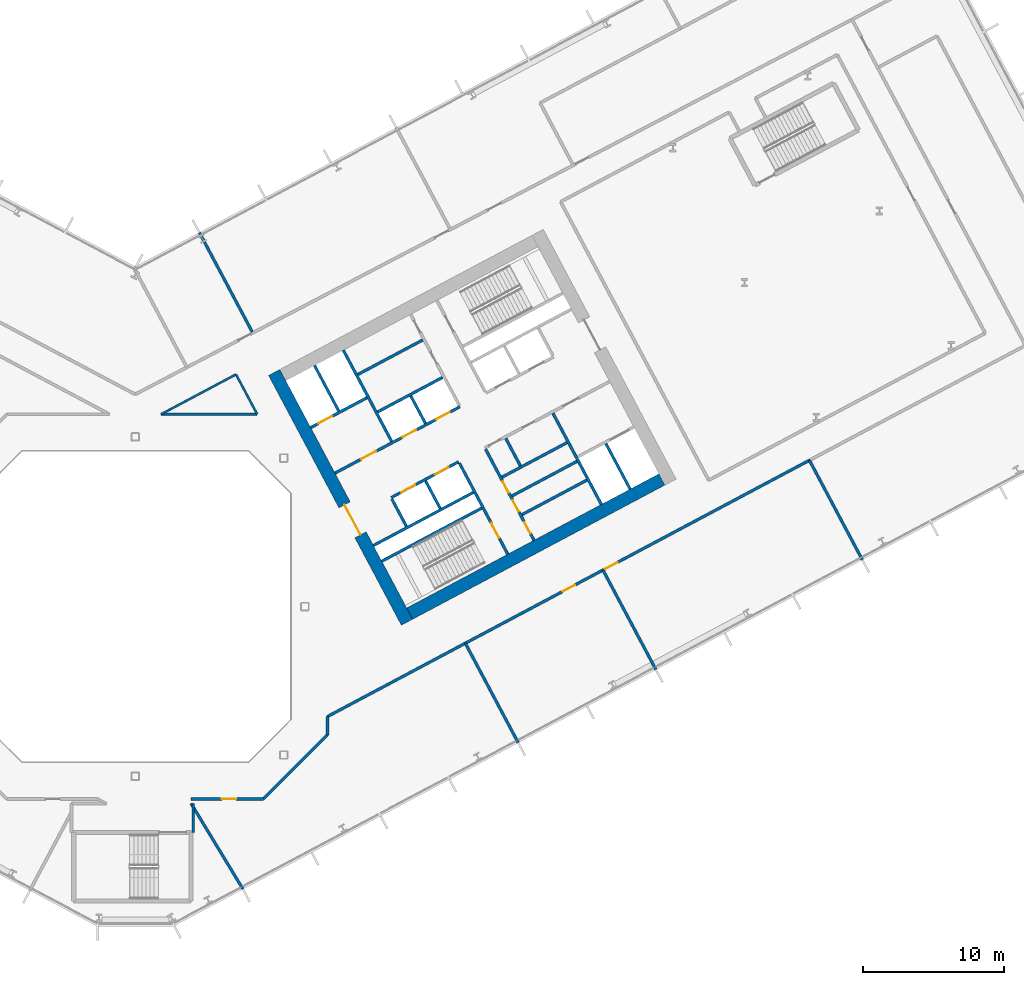
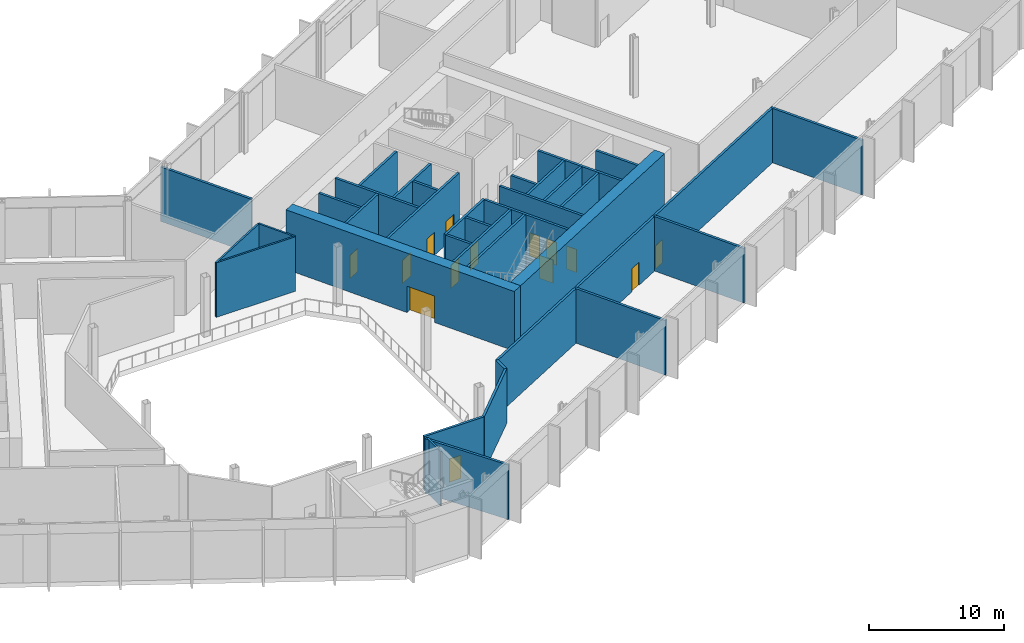
# One storey, part 15 of 31: 35 walls, 14 doors, 14 openings.
"""IFC4 building model written with IfcOpenShell, lengths in metres."""

from ifc_helpers import new_model, si_unit, direction, frame, frame_2d, origin, place, context, subcontext, project, spatial, rectangle, extrude, material, layer, layer_set, type_object, element, fill, save


model = new_model("IFC4")

# Units and contexts
model_context = context("Model", 3, precision=1e-05, world=origin(), true_north=direction((0.0, 1.0)))
body_context = subcontext(model_context, "Body", "Model", "MODEL_VIEW")
ifc_project = project(units=[si_unit("LENGTHUNIT", "METRE"), si_unit("AREAUNIT", "SQUARE_METRE"), si_unit("VOLUMEUNIT", "CUBIC_METRE"), si_unit("PLANEANGLEUNIT", "RADIAN"), si_unit("MASSUNIT", "GRAM", prefix="KILO")], contexts=[model_context])

# Site, building, storey
site_placement = place(None, origin())
site = spatial("IfcSite", under=ifc_project, at=site_placement, CompositionType="ELEMENT")
building_placement = place(site_placement, origin())
building = spatial("IfcBuilding", under=site, at=building_placement, Name="Cormorant Relay Tower", CompositionType="ELEMENT")
storey_placement = place(building_placement, frame((0.0, 0.0, 12.199951171875)))
storey = spatial("IfcBuildingStorey", under=building, at=storey_placement, Name="L02", CompositionType="ELEMENT", Elevation=12.199951171875)

# Walls
ifc_material_1 = material(Name="Concrete 40 MPa", Category="concrete")
ifc_layer_1 = layer(ifc_material_1, 0.199951171875)
ifc_layer_set_1 = layer_set([ifc_layer_1], Name="Core internal wall 200")
wall_type_1 = type_object("IfcWallType", Name="Core internal wall 200", PredefinedType="SOLIDWALL", material=ifc_layer_set_1)
for number, where, z_axis, x_axis, name in (
    (1, (21.567626953125, 6.9375, 0.0), (0.0, 0.0, 1.0), (-0.469533832133, 0.882914480843, 0.0), "L02 core B shaft and room wall"),
    (2, (20.522216796875, 12.950439453125, 0.0), (0.0, 0.0, 1.0), (-0.469401318492, 0.882984938828, 0.0), "L02 core B shaft and room wall"),
    (3, (27.236083984375, 9.951416015625, 0.0), (0.0, 0.0, 1.0), (-0.4694473164, 0.882960484464, 0.0), "L02 core B shaft and room wall"),
):
    element("IfcWall", number, at=place(storey_placement, frame(where, z_axis=z_axis, x_axis=x_axis)), inside=storey, type_object=wall_type_1, Name=name, PredefinedType="SOLIDWALL", context=body_context, shape_type="SweptSolid", body=[
        extrude(rectangle(XDim=2.199951171875, YDim=0.199951171875, at=frame_2d((1.10009765625, 0.0))), origin(), (0.0, 0.0, 1.0), 5.400146484375),
    ])
for number, where, z_axis, x_axis, name in (
    (4, (27.349365234375, 6.500732421875, 0.0), (0.0, 0.0, 1.0), (0.882953967957, 0.469459572775, 0.0), "L02 core B shaft and room wall"),
    (5, (26.645263671875, 7.8251953125, 0.0), (0.0, 0.0, 1.0), (0.882953967957, 0.469459572775, 0.0), "L02 core B shaft and room wall"),
    (6, (15.738525390625, 16.409423828125, 0.0), (0.0, 0.0, 1.0), (0.882934506056, 0.469496174655, 0.0), "L02 core B shaft and room wall"),
):
    element("IfcWall", number, at=place(storey_placement, frame(where, z_axis=z_axis, x_axis=x_axis)), inside=storey, type_object=wall_type_1, Name=name, PredefinedType="SOLIDWALL", context=body_context, shape_type="SweptSolid", body=[
        extrude(rectangle(XDim=5.199951171875, YDim=0.199951171875, at=frame_2d((2.60009765625, 0.0))), origin(), (0.0, 0.0, 1.0), 5.400146484375),
    ])
ifc_material_2 = material(Name="Concrete 50 MPa", Category="concrete")
ifc_layer_2 = layer(ifc_material_2, 0.199951171875)
ifc_layer_set_2 = layer_set([ifc_layer_2], Name="Core shaft wall 200")
wall_type_2 = type_object("IfcWallType", Name="Core shaft wall 200", PredefinedType="SHEAR", material=ifc_layer_set_2)
wall_1_placement = place(storey_placement, frame((14.39404296875, 13.825927734375, 0.0), z_axis=(0.0, 0.0, 1.0), x_axis=(-0.469494272526, 0.882935517501, 0.0)))
element("IfcWall", 7, at=wall_1_placement, inside=storey, type_object=wall_type_2, Name="L02 core B shaft wall", PredefinedType="SHEAR", context=body_context, shape_type="SweptSolid", body=[
    extrude(rectangle(XDim=3.64990234375, YDim=0.199951171875, at=frame_2d((1.824951171875, 0.0))), origin(), (0.0, 0.0, 1.0), 5.400146484375),
])
wall_2_placement = place(storey_placement, frame((19.18359375, 5.669921875, 0.0), z_axis=(0.0, 0.0, 1.0), x_axis=(-0.4694473164, 0.882960484464, 0.0)))
element("IfcWall", 8, at=wall_2_placement, inside=storey, type_object=wall_type_2, Name="L02 core B shaft wall", PredefinedType="SHEAR", context=body_context, shape_type="SweptSolid", body=[
    extrude(rectangle(XDim=2.199951171875, YDim=0.199951171875, at=frame_2d((1.10009765625, 0.0))), origin(), (0.0, 0.0, 1.0), 5.400146484375),
])
wall_3_placement = place(storey_placement, frame((18.138427734375, 11.682861328125, 0.0), z_axis=(0.0, 0.0, 1.0), x_axis=(-0.469480409012, 0.88294288918, 0.0)))
element("IfcWall", 9, at=wall_3_placement, inside=storey, type_object=wall_type_2, Name="L02 core B shaft wall", PredefinedType="SHEAR", context=body_context, shape_type="SweptSolid", body=[
    extrude(rectangle(XDim=7.300048828125, YDim=0.199951171875, at=frame_2d((3.64990234375, 0.0))), origin(), (0.0, 0.0, 1.0), 5.400146484375),
])

# Wall, opening, door
wall_4_placement = place(storey_placement, frame((26.345947265625, 3.701904296875, 0.0), z_axis=(0.0, 0.0, 1.0), x_axis=(-0.469480409012, 0.88294288918, 0.0)))
wall_4 = element("IfcWall", 10, at=wall_4_placement, inside=storey, type_object=wall_type_2, Name="L02 core B shaft wall", PredefinedType="SHEAR", context=body_context, shape_type="SweptSolid", body=[
    extrude(rectangle(XDim=7.300048828125, YDim=0.199951171875, at=frame_2d((3.64990234375, 0.0))), origin(), (0.0, 0.0, 1.0), 5.400146484375),
])
opening_1_placement = place(wall_4_placement, frame((1.300048828125, 0.0, 0.0)))
opening_1 = element("IfcOpeningElement", 11, at=opening_1_placement, cuts=wall_4, Name="Opening CDB-021", PredefinedType="OPENING", context=body_context, shape_type="SweptSolid", body=[
    extrude(rectangle(XDim=1.199951171875, YDim=2.10009765625, at=frame_2d((0.60009765625, 1.050048828125))), frame((0.0, 0.10986328125, 0.0), z_axis=(0.0, -1.0, 0.0), x_axis=(1.0, 0.0, 0.0)), (0.0, 0.0, 1.0), 0.219970703125),
])
ifc_material_3 = material(Name="Steel fire door", Category="steel")
door_type_1 = type_object("IfcDoorType", Name="Core stair door 1200x2100", OperationType="SINGLE_SWING_LEFT", PredefinedType="DOOR", material=ifc_material_3)
door_1_placement = place(opening_1_placement, origin())
door_1 = element("IfcDoor", 12, at=door_1_placement, inside=storey, type_object=door_type_1, Name="Core stair door 1200x2100", OperationType="SINGLE_SWING_RIGHT", OverallHeight=2.10009765625, OverallWidth=1.199951171875, PredefinedType="DOOR", context=body_context, shape_type="SweptSolid", body=[
    extrude(rectangle(XDim=1.199951171875, YDim=2.10009765625, at=frame_2d((0.60009765625, 1.050048828125))), frame((0.0, 0.02490234375, 0.0), z_axis=(0.0, -1.0, 0.0), x_axis=(1.0, 0.0, 0.0)), (0.0, 0.0, 1.0), 0.050048828125),
])
fill(opening_1, door_1)

# Wall, openings, doors
wall_5_placement = place(storey_placement, frame((28.199951171875, 4.687744140625, 0.0), z_axis=(0.0, 0.0, 1.0), x_axis=(-0.469454336211, 0.882956752176, 0.0)))
wall_5 = element("IfcWall", 13, at=wall_5_placement, inside=storey, type_object=wall_type_2, Name="L02 core B shaft wall", PredefinedType="SHEAR", context=body_context, shape_type="SweptSolid", body=[
    extrude(rectangle(XDim=7.300048828125, YDim=0.199951171875, at=frame_2d((3.64990234375, 0.0))), origin(), (0.0, 0.0, 1.0), 5.400146484375),
])
opening_2_placement = place(wall_5_placement, frame((0.550048828125, 0.0, 0.0)))
opening_2 = element("IfcOpeningElement", 14, at=opening_2_placement, cuts=wall_5, Name="Opening CDD-078", PredefinedType="OPENING", context=body_context, shape_type="SweptSolid", body=[
    extrude(rectangle(XDim=0.89990234375, YDim=2.10009765625, at=frame_2d((0.449951171875, 1.050048828125))), frame((0.0, 0.10986328125, 0.0), z_axis=(0.0, -1.0, 0.0), x_axis=(1.0, 0.0, 0.0)), (0.0, 0.0, 1.0), 0.219970703125),
])
opening_3_placement = place(wall_5_placement, frame((2.300048828125, 0.0, 0.0)))
opening_3 = element("IfcOpeningElement", 15, at=opening_3_placement, cuts=wall_5, Name="Opening CDD-079", PredefinedType="OPENING", context=body_context, shape_type="SweptSolid", body=[
    extrude(rectangle(XDim=0.89990234375, YDim=2.10009765625, at=frame_2d((0.449951171875, 1.050048828125))), frame((0.0, 0.10986328125, 0.0), z_axis=(0.0, -1.0, 0.0), x_axis=(1.0, 0.0, 0.0)), (0.0, 0.0, 1.0), 0.219970703125),
])
opening_4_placement = place(wall_5_placement, frame((3.800048828125, 0.0, 0.0)))
opening_4 = element("IfcOpeningElement", 16, at=opening_4_placement, cuts=wall_5, Name="Opening CDD-080", PredefinedType="OPENING", context=body_context, shape_type="SweptSolid", body=[
    extrude(rectangle(XDim=0.89990234375, YDim=2.10009765625, at=frame_2d((0.449951171875, 1.050048828125))), frame((0.0, 0.10986328125, 0.0), z_axis=(0.0, -1.0, 0.0), x_axis=(1.0, 0.0, 0.0)), (0.0, 0.0, 1.0), 0.219970703125),
])
ifc_material_4 = material(Name="Steel fire door", Category="steel")
door_type_2 = type_object("IfcDoorType", Name="Core room door 900x2100", OperationType="SINGLE_SWING_LEFT", PredefinedType="DOOR", material=ifc_material_4)
door_2_placement = place(opening_2_placement, frame((0.89990234375, 0.0, 0.0), z_axis=(0.0, 0.0, 1.0), x_axis=(-1.0, 0.0, 0.0)))
door_2 = element("IfcDoor", 17, at=door_2_placement, inside=storey, type_object=door_type_2, Name="Core room door 900x2100", OperationType="SINGLE_SWING_LEFT", OverallHeight=2.10009765625, OverallWidth=0.89990234375, PredefinedType="DOOR", context=body_context, shape_type="SweptSolid", body=[
    extrude(rectangle(XDim=0.89990234375, YDim=2.10009765625, at=frame_2d((0.449951171875, 1.050048828125))), frame((0.0, 0.02490234375, 0.0), z_axis=(0.0, -1.0, 0.0), x_axis=(1.0, 0.0, 0.0)), (0.0, 0.0, 1.0), 0.050048828125),
])
fill(opening_2, door_2)
door_3_placement = place(opening_3_placement, frame((0.89990234375, 0.0, 0.0), z_axis=(0.0, 0.0, 1.0), x_axis=(-1.0, 0.0, 0.0)))
door_3 = element("IfcDoor", 18, at=door_3_placement, inside=storey, type_object=door_type_2, Name="Core room door 900x2100", OperationType="SINGLE_SWING_LEFT", OverallHeight=2.10009765625, OverallWidth=0.89990234375, PredefinedType="DOOR", context=body_context, shape_type="SweptSolid", body=[
    extrude(rectangle(XDim=0.89990234375, YDim=2.10009765625, at=frame_2d((0.449951171875, 1.050048828125))), frame((0.0, 0.02490234375, 0.0), z_axis=(0.0, -1.0, 0.0), x_axis=(1.0, 0.0, 0.0)), (0.0, 0.0, 1.0), 0.050048828125),
])
fill(opening_3, door_3)
door_4_placement = place(opening_4_placement, frame((0.89990234375, 0.0, 0.0), z_axis=(0.0, 0.0, 1.0), x_axis=(-1.0, 0.0, 0.0)))
door_4 = element("IfcDoor", 19, at=door_4_placement, inside=storey, type_object=door_type_2, Name="Core room door 900x2100", OperationType="SINGLE_SWING_LEFT", OverallHeight=2.10009765625, OverallWidth=0.89990234375, PredefinedType="DOOR", context=body_context, shape_type="SweptSolid", body=[
    extrude(rectangle(XDim=0.89990234375, YDim=2.10009765625, at=frame_2d((0.449951171875, 1.050048828125))), frame((0.0, 0.02490234375, 0.0), z_axis=(0.0, -1.0, 0.0), x_axis=(1.0, 0.0, 0.0)), (0.0, 0.0, 1.0), 0.050048828125),
])
fill(opening_4, door_4)

# Walls
wall_6_placement = place(storey_placement, frame((32.968017578125, 7.222900390625, 0.0), z_axis=(0.0, 0.0, 1.0), x_axis=(-0.469480409012, 0.88294288918, 0.0)))
element("IfcWall", 20, at=wall_6_placement, inside=storey, type_object=wall_type_2, Name="L02 core B shaft wall", PredefinedType="SHEAR", context=body_context, shape_type="SweptSolid", body=[
    extrude(rectangle(XDim=7.300048828125, YDim=0.199951171875, at=frame_2d((3.64990234375, 0.0))), origin(), (0.0, 0.0, 1.0), 5.400146484375),
])
wall_7_placement = place(storey_placement, frame((34.998779296875, 8.302734375, 0.0), z_axis=(0.0, 0.0, 1.0), x_axis=(-0.4694665462, 0.882950260207, 0.0)))
element("IfcWall", 21, at=wall_7_placement, inside=storey, type_object=wall_type_2, Name="L02 core B shaft wall", PredefinedType="SHEAR", context=body_context, shape_type="SweptSolid", body=[
    extrude(rectangle(XDim=3.650146484375, YDim=0.199951171875, at=frame_2d((1.8251953125, 0.0))), origin(), (0.0, 0.0, 1.0), 5.400146484375),
])
for number, where, z_axis, x_axis, name in (
    (22, (17.43359375, 3.210205078125, 0.0), (0.0, 0.0, 1.0), (0.882940221191, 0.469485426614, 0.0), "L02 core B shaft wall"),
    (23, (16.8466796875, 4.31396484375, 0.0), (0.0, 0.0, 1.0), (0.882940221191, 0.469485426614, 0.0), "L02 core B shaft wall"),
):
    element("IfcWall", number, at=place(storey_placement, frame(where, z_axis=z_axis, x_axis=x_axis)), inside=storey, type_object=wall_type_2, Name=name, PredefinedType="SHEAR", context=body_context, shape_type="SweptSolid", body=[
        extrude(rectangle(XDim=8.0, YDim=0.199951171875, at=frame_2d((4.0, 0.0))), origin(), (0.0, 0.0, 1.0), 5.400146484375),
    ])
wall_8_placement = place(storey_placement, frame((25.94091796875, 9.149658203125, 0.0), z_axis=(0.0, 0.0, 1.0), x_axis=(0.882953967957, 0.469459572775, 0.0)))
element("IfcWall", 24, at=wall_8_placement, inside=storey, type_object=wall_type_2, Name="L02 core B shaft wall", PredefinedType="SHEAR", context=body_context, shape_type="SweptSolid", body=[
    extrude(rectangle(XDim=5.199951171875, YDim=0.199951171875, at=frame_2d((2.60009765625, 0.0))), origin(), (0.0, 0.0, 1.0), 5.400146484375),
])

# Wall, openings, doors
wall_9_placement = place(storey_placement, frame((18.103759765625, 7.70068359375, 0.0), z_axis=(0.0, 0.0, 1.0), x_axis=(0.882952937579, 0.469461510692, 0.0)))
wall_9 = element("IfcWall", 25, at=wall_9_placement, inside=storey, type_object=wall_type_2, Name="L02 core B shaft wall", PredefinedType="SHEAR", context=body_context, shape_type="SweptSolid", body=[
    extrude(rectangle(XDim=5.400146484375, YDim=0.199951171875, at=frame_2d((2.7001953125, 0.0))), origin(), (0.0, 0.0, 1.0), 5.400146484375),
])
opening_5_placement = place(wall_9_placement, frame((0.800048828125, 0.0, 0.0)))
opening_5 = element("IfcOpeningElement", 26, at=opening_5_placement, cuts=wall_9, Name="Opening LD1-024", PredefinedType="OPENING", context=body_context, shape_type="SweptSolid", body=[
    extrude(rectangle(XDim=1.10009765625, YDim=2.10009765625, at=frame_2d((0.550048828125, 1.050048828125))), frame((0.0, 0.10986328125, 0.0), z_axis=(0.0, -1.0, 0.0), x_axis=(1.0, 0.0, 0.0)), (0.0, 0.0, 1.0), 0.219970703125),
])
opening_6_placement = place(wall_9_placement, frame((3.5, 0.0, 0.0)))
opening_6 = element("IfcOpeningElement", 27, at=opening_6_placement, cuts=wall_9, Name="Opening LD1-025", PredefinedType="OPENING", context=body_context, shape_type="SweptSolid", body=[
    extrude(rectangle(XDim=1.10009765625, YDim=2.10009765625, at=frame_2d((0.550048828125, 1.050048828125))), frame((0.0, 0.10986328125, 0.0), z_axis=(0.0, -1.0, 0.0), x_axis=(1.0, 0.0, 0.0)), (0.0, 0.0, 1.0), 0.219970703125),
])
ifc_material_5 = material(Name="Stainless steel 316", Category="steel")
door_type_3 = type_object("IfcDoorType", Name="Lift landing door 1100x2100", OperationType="DOUBLE_DOOR_SLIDING", PredefinedType="DOOR", material=ifc_material_5)
door_5_placement = place(opening_5_placement, origin())
door_5 = element("IfcDoor", 28, at=door_5_placement, inside=storey, type_object=door_type_3, Name="LR5 landing door", OperationType="DOUBLE_DOOR_SLIDING", OverallHeight=2.10009765625, OverallWidth=1.10009765625, PredefinedType="DOOR", context=body_context, shape_type="SweptSolid", body=[
    extrude(rectangle(XDim=1.10009765625, YDim=2.10009765625, at=frame_2d((0.550048828125, 1.050048828125))), frame((0.0, 0.02490234375, 0.0), z_axis=(0.0, -1.0, 0.0), x_axis=(1.0, 0.0, 0.0)), (0.0, 0.0, 1.0), 0.050048828125),
])
fill(opening_5, door_5)
door_6_placement = place(opening_6_placement, origin())
door_6 = element("IfcDoor", 29, at=door_6_placement, inside=storey, type_object=door_type_3, Name="LR6 landing door", OperationType="DOUBLE_DOOR_SLIDING", OverallHeight=2.10009765625, OverallWidth=1.10009765625, PredefinedType="DOOR", context=body_context, shape_type="SweptSolid", body=[
    extrude(rectangle(XDim=1.10009765625, YDim=2.10009765625, at=frame_2d((0.550048828125, 1.050048828125))), frame((0.0, 0.02490234375, 0.0), z_axis=(0.0, -1.0, 0.0), x_axis=(1.0, 0.0, 0.0)), (0.0, 0.0, 1.0), 0.050048828125),
])
fill(opening_6, door_6)

wall_10_placement = place(storey_placement, frame((14.123779296875, 9.43505859375, 0.0), z_axis=(0.0, 0.0, 1.0), x_axis=(0.882940221191, 0.469485426614, 0.0)))
wall_10 = element("IfcWall", 30, at=wall_10_placement, inside=storey, type_object=wall_type_2, Name="L02 core B shaft wall", PredefinedType="SHEAR", context=body_context, shape_type="SweptSolid", body=[
    extrude(rectangle(XDim=10.0, YDim=0.199951171875, at=frame_2d((5.0, 0.0))), origin(), (0.0, 0.0, 1.0), 5.400146484375),
])
opening_7_placement = place(wall_10_placement, frame((2.10009765625, 0.0, 0.0)))
opening_7 = element("IfcOpeningElement", 31, at=opening_7_placement, cuts=wall_10, Name="Opening CDC-015", PredefinedType="OPENING", context=body_context, shape_type="SweptSolid", body=[
    extrude(rectangle(XDim=1.199951171875, YDim=2.10009765625, at=frame_2d((0.60009765625, 1.050048828125))), frame((0.0, 0.10986328125, 0.0), z_axis=(0.0, -1.0, 0.0), x_axis=(1.0, 0.0, 0.0)), (0.0, 0.0, 1.0), 0.219970703125),
])
opening_8_placement = place(wall_10_placement, frame((5.39990234375, 0.0, 0.0)))
opening_8 = element("IfcOpeningElement", 32, at=opening_8_placement, cuts=wall_10, Name="Opening LD1-020", PredefinedType="OPENING", context=body_context, shape_type="SweptSolid", body=[
    extrude(rectangle(XDim=1.10009765625, YDim=2.10009765625, at=frame_2d((0.550048828125, 1.050048828125))), frame((0.0, 0.10986328125, 0.0), z_axis=(0.0, -1.0, 0.0), x_axis=(1.0, 0.0, 0.0)), (0.0, 0.0, 1.0), 0.219970703125),
])
opening_9_placement = place(wall_10_placement, frame((8.10009765625, 0.0, 0.0)))
opening_9 = element("IfcOpeningElement", 33, at=opening_9_placement, cuts=wall_10, Name="Opening LD1-021", PredefinedType="OPENING", context=body_context, shape_type="SweptSolid", body=[
    extrude(rectangle(XDim=1.10009765625, YDim=2.10009765625, at=frame_2d((0.550048828125, 1.050048828125))), frame((0.0, 0.10986328125, 0.0), z_axis=(0.0, -1.0, 0.0), x_axis=(1.0, 0.0, 0.0)), (0.0, 0.0, 1.0), 0.219970703125),
])
ifc_material_6 = material(Name="Steel fire door", Category="steel")
door_type_4 = type_object("IfcDoorType", Name="Core lobby door 1200x2100", OperationType="SINGLE_SWING_LEFT", PredefinedType="DOOR", material=ifc_material_6)
door_7_placement = place(opening_7_placement, origin())
door_7 = element("IfcDoor", 34, at=door_7_placement, inside=storey, type_object=door_type_4, Name="Core lobby door 1200x2100", OperationType="SINGLE_SWING_RIGHT", OverallHeight=2.10009765625, OverallWidth=1.199951171875, PredefinedType="DOOR", context=body_context, shape_type="SweptSolid", body=[
    extrude(rectangle(XDim=1.199951171875, YDim=2.10009765625, at=frame_2d((0.60009765625, 1.050048828125))), frame((0.0, 0.02490234375, 0.0), z_axis=(0.0, -1.0, 0.0), x_axis=(1.0, 0.0, 0.0)), (0.0, 0.0, 1.0), 0.050048828125),
])
fill(opening_7, door_7)
door_8_placement = place(opening_8_placement, origin())
door_8 = element("IfcDoor", 35, at=door_8_placement, inside=storey, type_object=door_type_3, Name="LR1 landing door", OperationType="DOUBLE_DOOR_SLIDING", OverallHeight=2.10009765625, OverallWidth=1.10009765625, PredefinedType="DOOR", context=body_context, shape_type="SweptSolid", body=[
    extrude(rectangle(XDim=1.10009765625, YDim=2.10009765625, at=frame_2d((0.550048828125, 1.050048828125))), frame((0.0, 0.02490234375, 0.0), z_axis=(0.0, -1.0, 0.0), x_axis=(1.0, 0.0, 0.0)), (0.0, 0.0, 1.0), 0.050048828125),
])
fill(opening_8, door_8)
door_9_placement = place(opening_9_placement, origin())
door_9 = element("IfcDoor", 36, at=door_9_placement, inside=storey, type_object=door_type_3, Name="LR2 landing door", OperationType="DOUBLE_DOOR_SLIDING", OverallHeight=2.10009765625, OverallWidth=1.10009765625, PredefinedType="DOOR", context=body_context, shape_type="SweptSolid", body=[
    extrude(rectangle(XDim=1.10009765625, YDim=2.10009765625, at=frame_2d((0.550048828125, 1.050048828125))), frame((0.0, 0.02490234375, 0.0), z_axis=(0.0, -1.0, 0.0), x_axis=(1.0, 0.0, 0.0)), (0.0, 0.0, 1.0), 0.050048828125),
])
fill(opening_9, door_9)

# Wall
wall_11_placement = place(storey_placement, frame((17.146728515625, 13.7607421875, 0.0), z_axis=(0.0, 0.0, 1.0), x_axis=(0.882964314875, 0.469440111896, 0.0)))
element("IfcWall", 37, at=wall_11_placement, inside=storey, type_object=wall_type_2, Name="L02 core B shaft wall", PredefinedType="SHEAR", context=body_context, shape_type="SweptSolid", body=[
    extrude(rectangle(XDim=5.2001953125, YDim=0.199951171875, at=frame_2d((2.60009765625, 0.0))), origin(), (0.0, 0.0, 1.0), 5.400146484375),
])

# Wall, opening, door
wall_12_placement = place(storey_placement, frame((12.41015625, 12.657958984375, 0.0), z_axis=(0.0, 0.0, 1.0), x_axis=(0.8829484765, 0.469469900894, 0.0)))
wall_12 = element("IfcWall", 38, at=wall_12_placement, inside=storey, type_object=wall_type_2, Name="L02 core B shaft wall", PredefinedType="SHEAR", context=body_context, shape_type="SweptSolid", body=[
    extrude(rectangle(XDim=4.499755859375, YDim=0.199951171875, at=frame_2d((2.25, 0.0))), origin(), (0.0, 0.0, 1.0), 5.400146484375),
])
opening_10_placement = place(wall_12_placement, frame((0.60009765625, 0.0, 0.0)))
opening_10 = element("IfcOpeningElement", 39, at=opening_10_placement, cuts=wall_12, Name="Opening LD1-026", PredefinedType="OPENING", context=body_context, shape_type="SweptSolid", body=[
    extrude(rectangle(XDim=1.10009765625, YDim=2.10009765625, at=frame_2d((0.550048828125, 1.050048828125))), frame((0.0, 0.10986328125, 0.0), z_axis=(0.0, -1.0, 0.0), x_axis=(1.0, 0.0, 0.0)), (0.0, 0.0, 1.0), 0.219970703125),
])
door_10_placement = place(opening_10_placement, origin())
door_10 = element("IfcDoor", 40, at=door_10_placement, inside=storey, type_object=door_type_3, Name="FF2 landing door", OperationType="DOUBLE_DOOR_SLIDING", OverallHeight=2.10009765625, OverallWidth=1.10009765625, PredefinedType="DOOR", context=body_context, shape_type="SweptSolid", body=[
    extrude(rectangle(XDim=1.10009765625, YDim=2.10009765625, at=frame_2d((0.550048828125, 1.050048828125))), frame((0.0, 0.02490234375, 0.0), z_axis=(0.0, -1.0, 0.0), x_axis=(1.0, 0.0, 0.0)), (0.0, 0.0, 1.0), 0.050048828125),
])
fill(opening_10, door_10)

ifc_material_7 = material(Name="Concrete 70 MPa", Category="concrete")
ifc_layer_3 = layer(ifc_material_7, 0.89990234375)
ifc_layer_set_3 = layer_set([ifc_layer_3], Name="Core wall 900")
wall_type_3 = type_object("IfcWallType", Name="Core wall 900", PredefinedType="SHEAR", material=ifc_layer_set_3)
wall_13_placement = place(storey_placement, frame((19.21923828125, -1.106689453125, 0.0), z_axis=(0.0, 0.0, 1.0), x_axis=(-0.46947084998, 0.882947971864, 0.0)))
wall_13 = element("IfcWall", 41, at=wall_13_placement, inside=storey, type_object=wall_type_3, Name="L02 core B wall", PredefinedType="SHEAR", context=body_context, shape_type="SweptSolid", body=[
    extrude(rectangle(XDim=20.0, YDim=0.89990234375, at=frame_2d((10.0, 0.0))), origin(), (0.0, 0.0, 1.0), 5.400146484375),
])
opening_11_placement = place(wall_13_placement, frame((7.0, 0.0, 0.0)))
opening_11 = element("IfcOpeningElement", 42, at=opening_11_placement, cuts=wall_13, Name="Opening CDA-015", PredefinedType="OPENING", context=body_context, shape_type="SweptSolid", body=[
    extrude(rectangle(XDim=2.39990234375, YDim=2.39990234375, at=frame_2d((1.199951171875, 1.199951171875))), frame((0.0, 0.4599609375, 0.0), z_axis=(0.0, -1.0, 0.0), x_axis=(1.0, 0.0, 0.0)), (0.0, 0.0, 1.0), 0.919921875),
])
ifc_material_8 = material(Name="Steel fire door", Category="steel")
door_type_5 = type_object("IfcDoorType", Name="Core lobby door 2400x2400", OperationType="DOUBLE_DOOR_SINGLE_SWING", PredefinedType="DOOR", material=ifc_material_8)
door_11_placement = place(opening_11_placement, frame((2.39990234375, 0.0, 0.0), z_axis=(0.0, 0.0, 1.0), x_axis=(-1.0, 0.0, 0.0)))
door_11 = element("IfcDoor", 43, at=door_11_placement, inside=storey, type_object=door_type_5, Name="Core lobby door 2400x2400", OperationType="DOUBLE_DOOR_SINGLE_SWING", OverallHeight=2.39990234375, OverallWidth=2.39990234375, PredefinedType="DOOR", context=body_context, shape_type="SweptSolid", body=[
    extrude(rectangle(XDim=2.39990234375, YDim=2.39990234375, at=frame_2d((1.199951171875, 1.199951171875))), frame((0.0, 0.02490234375, 0.0), z_axis=(0.0, -1.0, 0.0), x_axis=(1.0, 0.0, 0.0)), (0.0, 0.0, 1.0), 0.050048828125),
])
fill(opening_11, door_11)

# Walls
wall_14_placement = place(storey_placement, frame((19.4052734375, -0.498046875, 0.0), z_axis=(0.0, 0.0, 1.0), x_axis=(0.88294509198, 0.469476266226, 0.0)))
element("IfcWall", 44, at=wall_14_placement, inside=storey, type_object=wall_type_3, Name="L02 core B wall", PredefinedType="SHEAR", context=body_context, shape_type="SweptSolid", body=[
    extrude(rectangle(XDim=20.199951171875, YDim=0.89990234375, at=frame_2d((10.10009765625, 0.0))), origin(), (0.0, 0.0, 1.0), 5.400146484375),
])
ifc_material_9 = material(Name="Fire-rated gypsum board partition")
ifc_layer_4 = layer(ifc_material_9, 0.199951171875)
ifc_layer_set_4 = layer_set([ifc_layer_4], Name="Fire-rated gypsum partition 200")
wall_type_4 = type_object("IfcWallType", Name="Fire-rated gypsum partition 200", PredefinedType="PARTITIONING", material=ifc_layer_set_4)
wall_15_placement = place(storey_placement, frame((4.549072265625, 26.428955078125, 0.0), z_axis=(0.0, 0.0, 1.0), x_axis=(0.469456091969, -0.882955818664, 0.0)))
element("IfcWall", 45, at=wall_15_placement, inside=storey, type_object=wall_type_4, Name="wall/L02/part/44", PredefinedType="PARTITIONING", context=body_context, shape_type="SweptSolid", body=[
    extrude(rectangle(XDim=7.949462890625, YDim=0.199951171875, at=frame_2d((3.974609375, 0.0))), origin(), (0.0, 0.0, 1.0), 4.949951171875),
])
wall_16_placement = place(storey_placement, frame((13.60009765625, -7.781982421875, 0.0), z_axis=(0.0, 0.0, 1.0), x_axis=(0.0, -1.0, 0.0)))
element("IfcWall", 46, at=wall_16_placement, inside=storey, type_object=wall_type_4, Name="wall/L02/part/46", PredefinedType="PARTITIONING", context=body_context, shape_type="SweptSolid", body=[
    extrude(rectangle(XDim=1.294921875, YDim=0.199951171875, at=frame_2d((0.6474609375, 0.0))), origin(), (0.0, 0.0, 1.0), 4.949951171875),
])
wall_17_placement = place(storey_placement, frame((13.60009765625, -9.076904296875, 0.0), z_axis=(0.0, 0.0, 1.0), x_axis=(-0.707106781187, -0.707106781187, 0.0)))
element("IfcWall", 47, at=wall_17_placement, inside=storey, type_object=wall_type_4, Name="wall/L02/part/47", PredefinedType="PARTITIONING", context=body_context, shape_type="SweptSolid", body=[
    extrude(rectangle(XDim=6.396728515625, YDim=0.199951171875, at=frame_2d((3.1982421875, 0.0))), origin(), (0.0, 0.0, 1.0), 4.949951171875),
])

# Wall, opening, door
wall_18_placement = place(storey_placement, frame((9.076904296875, -13.60009765625, 0.0), z_axis=(0.0, 0.0, 1.0), x_axis=(-1.0, 0.0, 0.0)))
wall_18 = element("IfcWall", 48, at=wall_18_placement, inside=storey, type_object=wall_type_4, Name="wall/L02/part/48", PredefinedType="PARTITIONING", context=body_context, shape_type="SweptSolid", body=[
    extrude(rectangle(XDim=5.126953125, YDim=0.199951171875, at=frame_2d((2.5634765625, 0.0))), origin(), (0.0, 0.0, 1.0), 4.949951171875),
])
opening_12_placement = place(wall_18_placement, frame((1.949951171875, 0.0, 0.0)))
opening_12 = element("IfcOpeningElement", 49, at=opening_12_placement, cuts=wall_18, Name="Opening FD1-022", PredefinedType="OPENING", context=body_context, shape_type="SweptSolid", body=[
    extrude(rectangle(XDim=1.0, YDim=2.10009765625, at=frame_2d((0.5, 1.050048828125))), frame((0.0, 0.10986328125, 0.0), z_axis=(0.0, -1.0, 0.0), x_axis=(1.0, 0.0, 0.0)), (0.0, 0.0, 1.0), 0.219970703125),
])
ifc_material_10 = material(Name="Fire-rated steel door", Category="steel")
door_type_6 = type_object("IfcDoorType", Name="Fire door 1000 x 2100", OperationType="SINGLE_SWING_LEFT", PredefinedType="DOOR", material=ifc_material_10)
door_12_placement = place(opening_12_placement, origin())
door_12 = element("IfcDoor", 50, at=door_12_placement, inside=storey, type_object=door_type_6, Name="door/L02/3", OperationType="SINGLE_SWING_RIGHT", OverallHeight=2.10009765625, OverallWidth=1.0, PredefinedType="DOOR", context=body_context, shape_type="SweptSolid", body=[
    extrude(rectangle(XDim=1.0, YDim=2.10009765625, at=frame_2d((0.5, 1.050048828125))), frame((0.0, 0.02490234375, 0.0), z_axis=(0.0, -1.0, 0.0), x_axis=(1.0, 0.0, 0.0)), (0.0, 0.0, 1.0), 0.050048828125),
])
fill(opening_12, door_12)

# Walls
wall_19_placement = place(storey_placement, frame((7.60888671875, -19.965087890625, 0.0), z_axis=(0.0, 0.0, 1.0), x_axis=(-0.518126246201, 0.855304152333, 0.0)))
element("IfcWall", 51, at=wall_19_placement, inside=storey, type_object=wall_type_4, Name="wall/L02/part/49", PredefinedType="PARTITIONING", context=body_context, shape_type="SweptSolid", body=[
    extrude(rectangle(XDim=7.061767578125, YDim=0.199951171875, at=frame_2d((3.53076171875, 0.0))), origin(), (0.0, 0.0, 1.0), 4.949951171875),
])
wall_20_placement = place(storey_placement, frame((23.343994140625, -2.594970703125, 0.0), z_axis=(0.0, 0.0, 1.0), x_axis=(0.469456091969, -0.882955818664, 0.0)))
element("IfcWall", 52, at=wall_20_placement, inside=storey, type_object=wall_type_4, Name="wall/L02/part/51", PredefinedType="PARTITIONING", context=body_context, shape_type="SweptSolid", body=[
    extrude(rectangle(XDim=7.949462890625, YDim=0.199951171875, at=frame_2d((3.974609375, 0.0))), origin(), (0.0, 0.0, 1.0), 4.949951171875),
])

# Wall, openings, doors
wall_21_placement = place(storey_placement, frame((47.736083984375, 10.375, 0.0), z_axis=(0.0, 0.0, 1.0), x_axis=(-0.882953206174, -0.469461005524, 0.0)))
wall_21 = element("IfcWall", 53, at=wall_21_placement, inside=storey, type_object=wall_type_4, Name="wall/L02/part/52", PredefinedType="PARTITIONING", context=body_context, shape_type="SweptSolid", body=[
    extrude(rectangle(XDim=38.6611328125, YDim=0.199951171875, at=frame_2d((19.33056640625, 0.0))), origin(), (0.0, 0.0, 1.0), 4.949951171875),
])
opening_13_placement = place(wall_21_placement, frame((18.85009765625, 0.0, 0.0)))
opening_13 = element("IfcOpeningElement", 54, at=opening_13_placement, cuts=wall_21, Name="Opening FD1-023", PredefinedType="OPENING", context=body_context, shape_type="SweptSolid", body=[
    extrude(rectangle(XDim=1.0, YDim=2.10009765625, at=frame_2d((0.5, 1.050048828125))), frame((0.0, 0.10986328125, 0.0), z_axis=(0.0, -1.0, 0.0), x_axis=(1.0, 0.0, 0.0)), (0.0, 0.0, 1.0), 0.219970703125),
])
opening_14_placement = place(wall_21_placement, frame((15.449951171875, 0.0, 0.0)))
opening_14 = element("IfcOpeningElement", 55, at=opening_14_placement, cuts=wall_21, Name="Opening FD1-024", PredefinedType="OPENING", context=body_context, shape_type="SweptSolid", body=[
    extrude(rectangle(XDim=1.0, YDim=2.10009765625, at=frame_2d((0.5, 1.050048828125))), frame((0.0, 0.10986328125, 0.0), z_axis=(0.0, -1.0, 0.0), x_axis=(1.0, 0.0, 0.0)), (0.0, 0.0, 1.0), 0.219970703125),
])
door_13_placement = place(opening_13_placement, origin())
door_13 = element("IfcDoor", 56, at=door_13_placement, inside=storey, type_object=door_type_6, Name="door/L02/4", OperationType="SINGLE_SWING_RIGHT", OverallHeight=2.10009765625, OverallWidth=1.0, PredefinedType="DOOR", context=body_context, shape_type="SweptSolid", body=[
    extrude(rectangle(XDim=1.0, YDim=2.10009765625, at=frame_2d((0.5, 1.050048828125))), frame((0.0, 0.02490234375, 0.0), z_axis=(0.0, -1.0, 0.0), x_axis=(1.0, 0.0, 0.0)), (0.0, 0.0, 1.0), 0.050048828125),
])
fill(opening_13, door_13)
door_14_placement = place(opening_14_placement, origin())
door_14 = element("IfcDoor", 57, at=door_14_placement, inside=storey, type_object=door_type_6, Name="door/L02/5", OperationType="SINGLE_SWING_RIGHT", OverallHeight=2.10009765625, OverallWidth=1.0, PredefinedType="DOOR", context=body_context, shape_type="SweptSolid", body=[
    extrude(rectangle(XDim=1.0, YDim=2.10009765625, at=frame_2d((0.5, 1.050048828125))), frame((0.0, 0.02490234375, 0.0), z_axis=(0.0, -1.0, 0.0), x_axis=(1.0, 0.0, 0.0)), (0.0, 0.0, 1.0), 0.050048828125),
])
fill(opening_14, door_14)

# Walls
wall_22_placement = place(storey_placement, frame((36.80908203125, -4.43896484375, 0.0), z_axis=(0.0, 0.0, 1.0), x_axis=(-0.46942911731, 0.88297016021, 0.0)))
element("IfcWall", 58, at=wall_22_placement, inside=storey, type_object=wall_type_4, Name="wall/L02/part/55", PredefinedType="PARTITIONING", context=body_context, shape_type="SweptSolid", body=[
    extrude(rectangle(XDim=7.950439453125, YDim=0.199951171875, at=frame_2d((3.97509765625, 0.0))), origin(), (0.0, 0.0, 1.0), 4.949951171875),
])
wall_23_placement = place(storey_placement, frame((47.677001953125, 10.343994140625, 0.0), z_axis=(0.0, 0.0, 1.0), x_axis=(0.46930940005, -0.883033797215, 0.0)))
element("IfcWall", 59, at=wall_23_placement, inside=storey, type_object=wall_type_4, Name="wall/L02/part/56", PredefinedType="PARTITIONING", context=body_context, shape_type="SweptSolid", body=[
    extrude(rectangle(XDim=7.949951171875, YDim=0.199951171875, at=frame_2d((3.97509765625, 0.0))), origin(), (0.0, 0.0, 1.0), 4.949951171875),
])
ifc_material_11 = material(Name="Gypsum board partition")
ifc_layer_5 = layer(ifc_material_11, 0.14990234375)
ifc_layer_set_5 = layer_set([ifc_layer_5], Name="Gypsum board partition 150")
wall_type_5 = type_object("IfcWallType", Name="Gypsum board partition 150", PredefinedType="PARTITIONING", material=ifc_layer_set_5)
wall_24_placement = place(storey_placement, frame((4.10009765625, -13.925048828125, 0.0), z_axis=(0.0, 0.0, 1.0), x_axis=(0.0, -1.0, 0.0)))
element("IfcWall", 60, at=wall_24_placement, inside=storey, type_object=wall_type_5, Name="wall/L02/part/45", PredefinedType="PARTITIONING", context=body_context, shape_type="SweptSolid", body=[
    extrude(rectangle(XDim=2.050048828125, YDim=0.14990234375, at=frame_2d((1.02490234375, 0.0))), origin(), (0.0, 0.0, 1.0), 4.949951171875),
])
wall_25_placement = place(storey_placement, frame((1.827880859375, 13.60009765625, 0.0), z_axis=(0.0, 0.0, 1.0), x_axis=(1.0, 0.0, 0.0)))
element("IfcWall", 61, at=wall_25_placement, inside=storey, type_object=wall_type_5, Name="wall/L02/part/81", PredefinedType="PARTITIONING", context=body_context, shape_type="SweptSolid", body=[
    extrude(rectangle(XDim=6.797119140625, YDim=0.14990234375, at=frame_2d((3.3984375, 0.0))), origin(), (0.0, 0.0, 1.0), 4.949951171875),
])
wall_26_placement = place(storey_placement, frame((8.625, 13.60009765625, 0.0), z_axis=(0.0, 0.0, 1.0), x_axis=(-0.46953936544, 0.882911538209, 0.0)))
element("IfcWall", 62, at=wall_26_placement, inside=storey, type_object=wall_type_5, Name="wall/L02/part/82", PredefinedType="PARTITIONING", context=body_context, shape_type="SweptSolid", body=[
    extrude(rectangle(XDim=3.1904296875, YDim=0.14990234375, at=frame_2d((1.59521484375, 0.0))), origin(), (0.0, 0.0, 1.0), 4.949951171875),
])
wall_27_placement = place(storey_placement, frame((7.126953125, 16.4169921875, 0.0), z_axis=(0.0, 0.0, 1.0), x_axis=(-0.882994016778, -0.469384241676, 0.0)))
element("IfcWall", 63, at=wall_27_placement, inside=storey, type_object=wall_type_5, Name="wall/L02/part/83", PredefinedType="PARTITIONING", context=body_context, shape_type="SweptSolid", body=[
    extrude(rectangle(XDim=6.001220703125, YDim=0.14990234375, at=frame_2d((3.00048828125, 0.0))), origin(), (0.0, 0.0, 1.0), 4.949951171875),
])

save(model, "model.ifc")
